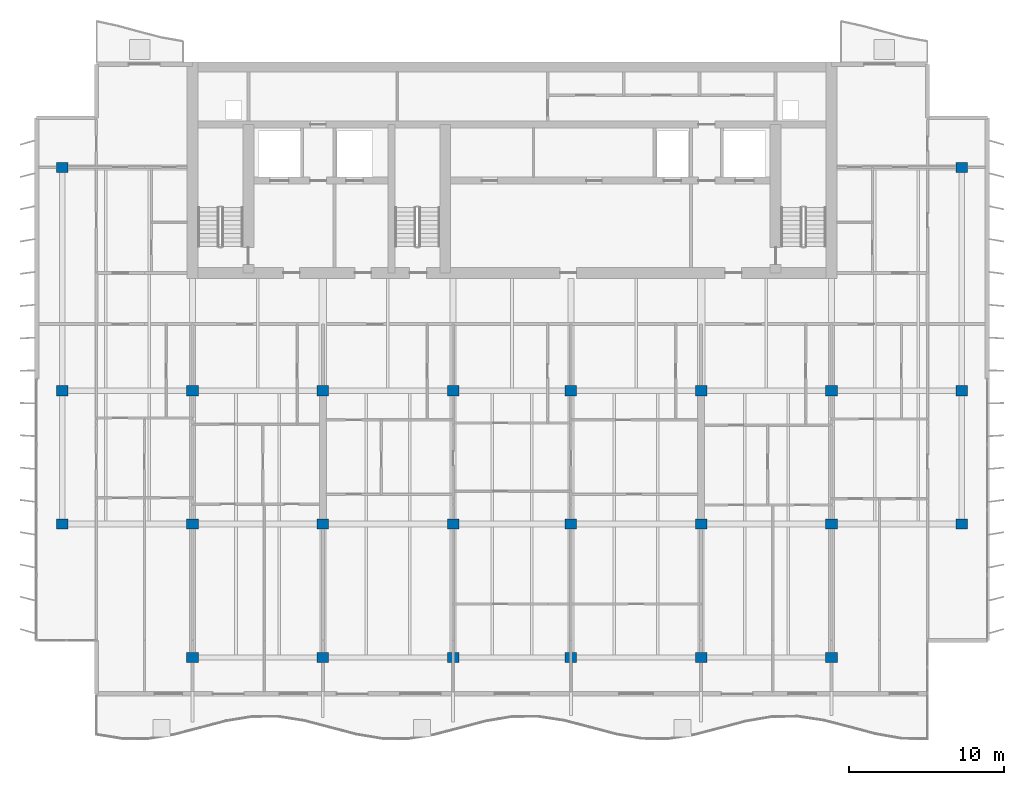
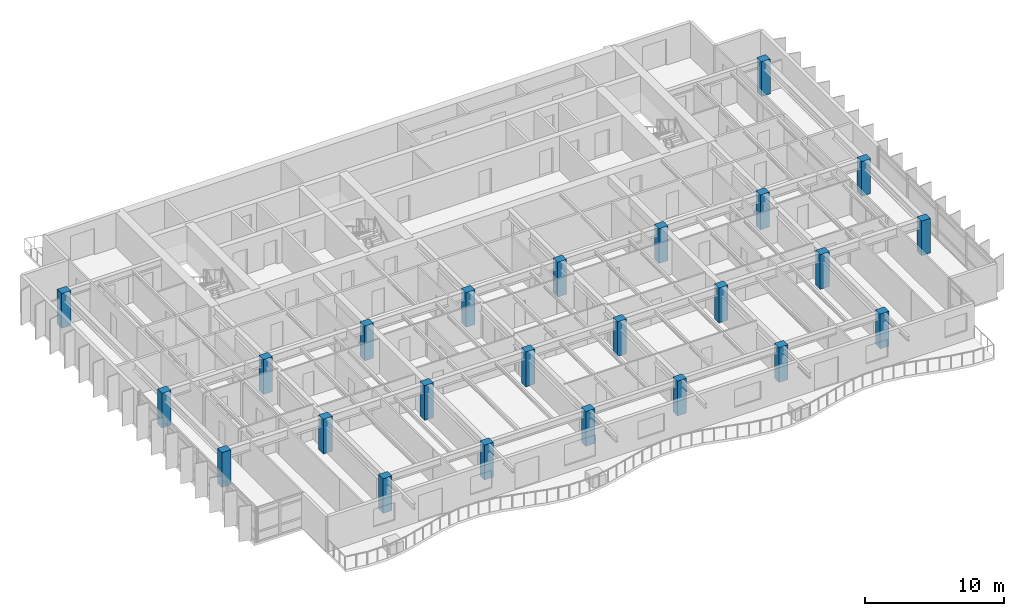
# One storey, part 1 of 17: 24 columns.
"""IFC4 building model written with IfcOpenShell, lengths in metres."""

from ifc_helpers import new_model, si_unit, direction, frame, origin, origin_2d, place, context, subcontext, project, spatial, rectangle, extrude, material, material_profile, profile_set, type_object, element, save


model = new_model("IFC4")

# Units and contexts
model_context = context("Model", 3, precision=1e-05, world=origin(), true_north=direction((0.0, 1.0)))
body_context = subcontext(model_context, "Body", "Model", "MODEL_VIEW")
ifc_project = project(units=[si_unit("LENGTHUNIT", "METRE"), si_unit("AREAUNIT", "SQUARE_METRE"), si_unit("VOLUMEUNIT", "CUBIC_METRE"), si_unit("PLANEANGLEUNIT", "RADIAN"), si_unit("MASSUNIT", "GRAM", prefix="KILO")], contexts=[model_context])

# Site, building, storey
site_placement = place(None, origin())
site = spatial("IfcSite", under=ifc_project, at=site_placement, CompositionType="ELEMENT")
building_placement = place(site_placement, origin())
building = spatial("IfcBuilding", under=site, at=building_placement, Name="Caelmar Bay Residences", CompositionType="ELEMENT")
storey_placement = place(building_placement, frame((0.0, 0.0, 243.0)))
storey = spatial("IfcBuildingStorey", under=building, at=storey_placement, Name="L68", CompositionType="ELEMENT", Elevation=243.0)

# Columns
ifc_material = material(Name="Concrete f'c 55 MPa (8,000 psi)", Category="concrete")
ifc_material_profile = material_profile(ifc_material, rectangle(XDim=0.75, YDim=0.64990234375, at=origin_2d()), Name="RC-COL-750X650")
ifc_profile_set = profile_set([ifc_material_profile], Name="Concrete f'c 55 MPa (8,000 psi)")
column_type = type_object("IfcColumnType", Name="COL-RC-750X650", PredefinedType="COLUMN", material=ifc_profile_set)
for number, where, z_axis, x_axis, name in (
    (1, (18.300048828125, 12.199951171875, 0.0), (0.0, 0.0, 1.0), (1.0, 0.0, 0.0), "L68 Column (18.30,12.20)"),
    (2, (26.699951171875, 12.199951171875, 0.0), (0.0, 0.0, 1.0), (1.0, 0.0, 0.0), "L68 Column (26.70,12.20)"),
    (3, (35.10009765625, 12.199951171875, 0.0), (0.0, 0.0, 1.0), (1.0, 0.0, 0.0), "L68 Column (35.10,12.20)"),
    (4, (42.699951171875, 12.199951171875, 0.0), (0.0, 0.0, 1.0), (1.0, 0.0, 0.0), "L68 Column (42.70,12.20)"),
    (5, (51.10009765625, 12.199951171875, 0.0), (0.0, 0.0, 1.0), (1.0, 0.0, 0.0), "L68 Column (51.10,12.20)"),
    (6, (59.5, 12.199951171875, 0.0), (0.0, 0.0, 1.0), (1.0, 0.0, 0.0), "L68 Column (59.50,12.20)"),
    (7, (9.89990234375, 20.800048828125, 0.0), (0.0, 0.0, 1.0), (1.0, 0.0, 0.0), "L68 Column (9.90,20.80)"),
    (8, (18.300048828125, 20.800048828125, 0.0), (0.0, 0.0, 1.0), (1.0, 0.0, 0.0), "L68 Column (18.30,20.80)"),
    (9, (26.699951171875, 20.800048828125, 0.0), (0.0, 0.0, 1.0), (1.0, 0.0, 0.0), "L68 Column (26.70,20.80)"),
    (10, (35.10009765625, 20.800048828125, 0.0), (0.0, 0.0, 1.0), (1.0, 0.0, 0.0), "L68 Column (35.10,20.80)"),
    (11, (42.699951171875, 20.800048828125, 0.0), (0.0, 0.0, 1.0), (1.0, 0.0, 0.0), "L68 Column (42.70,20.80)"),
    (12, (51.10009765625, 20.800048828125, 0.0), (0.0, 0.0, 1.0), (1.0, 0.0, 0.0), "L68 Column (51.10,20.80)"),
    (13, (59.5, 20.800048828125, 0.0), (0.0, 0.0, 1.0), (1.0, 0.0, 0.0), "L68 Column (59.50,20.80)"),
    (14, (67.89990234375, 20.800048828125, 0.0), (0.0, 0.0, 1.0), (1.0, 0.0, 0.0), "L68 Column (67.90,20.80)"),
    (15, (9.89990234375, 29.39990234375, 0.0), (0.0, 0.0, 1.0), (1.0, 0.0, 0.0), "L68 Column (9.90,29.40)"),
    (16, (18.300048828125, 29.39990234375, 0.0), (0.0, 0.0, 1.0), (1.0, 0.0, 0.0), "L68 Column (18.30,29.40)"),
    (17, (26.699951171875, 29.39990234375, 0.0), (0.0, 0.0, 1.0), (1.0, 0.0, 0.0), "L68 Column (26.70,29.40)"),
    (18, (35.10009765625, 29.39990234375, 0.0), (0.0, 0.0, 1.0), (1.0, 0.0, 0.0), "L68 Column (35.10,29.40)"),
    (19, (42.699951171875, 29.39990234375, 0.0), (0.0, 0.0, 1.0), (1.0, 0.0, 0.0), "L68 Column (42.70,29.40)"),
    (20, (51.10009765625, 29.39990234375, 0.0), (0.0, 0.0, 1.0), (1.0, 0.0, 0.0), "L68 Column (51.10,29.40)"),
    (21, (59.5, 29.39990234375, 0.0), (0.0, 0.0, 1.0), (1.0, 0.0, 0.0), "L68 Column (59.50,29.40)"),
    (22, (67.89990234375, 29.39990234375, 0.0), (0.0, 0.0, 1.0), (1.0, 0.0, 0.0), "L68 Column (67.90,29.40)"),
    (23, (9.89990234375, 43.800048828125, 0.0), (0.0, 0.0, 1.0), (1.0, 0.0, 0.0), "L68 Column (9.90,43.80)"),
    (24, (67.89990234375, 43.800048828125, 0.0), (0.0, 0.0, 1.0), (1.0, 0.0, 0.0), "L68 Column (67.90,43.80)"),
):
    element("IfcColumn", number, at=place(storey_placement, frame(where, z_axis=z_axis, x_axis=x_axis)), inside=storey, type_object=column_type, Name=name, PredefinedType="COLUMN", context=body_context, shape_type="SweptSolid", body=[
        extrude(rectangle(XDim=0.75, YDim=0.64990234375, at=origin_2d()), origin(), (0.0, 0.0, 1.0), 3.050048828125),
    ])

save(model, "model.ifc")
